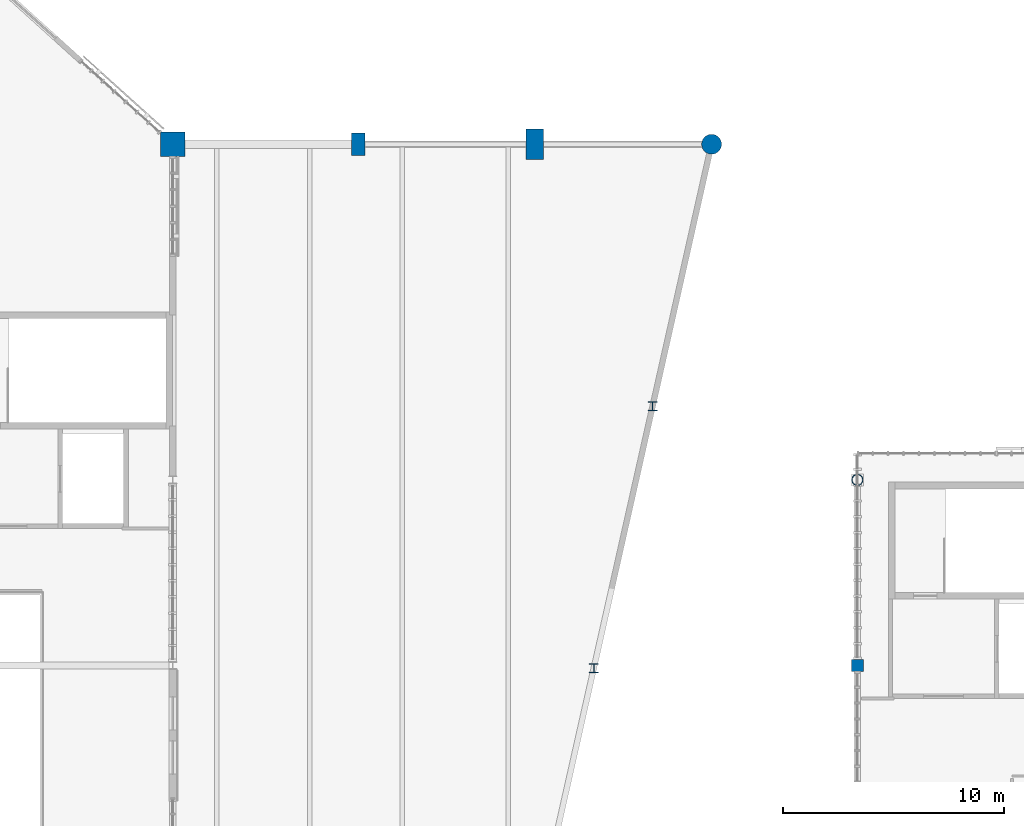
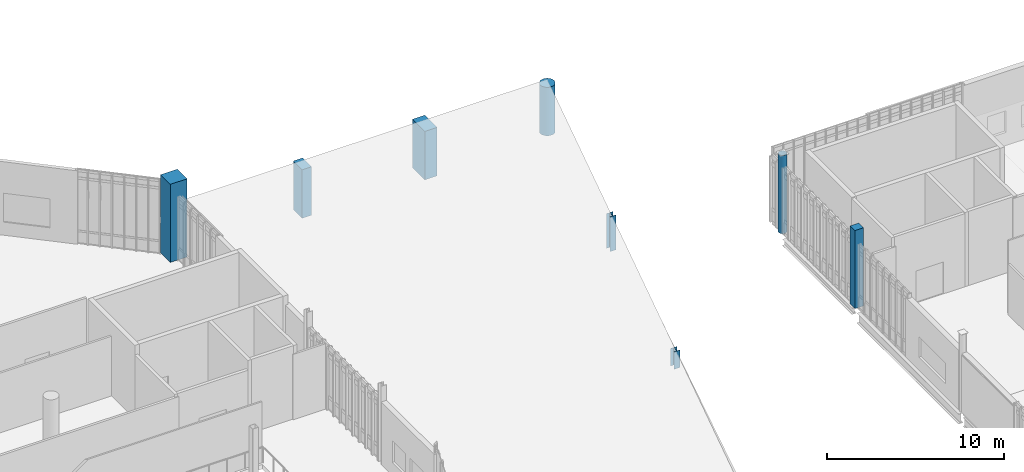
# One storey, part 6 of 135: 8 columns.
"""IFC4 building model written with IfcOpenShell, lengths in metres."""

from ifc_helpers import new_model, si_unit, direction, frame, origin, origin_2d, place, context, subcontext, project, spatial, rectangle, circle, hollow_circle, i_section, extrude, material, material_profile, profile_set, type_object, element, save


model = new_model("IFC4")

# Units and contexts
model_context = context("Model", 3, precision=1e-05, world=origin(), true_north=direction((0.0, 1.0)))
body_context = subcontext(model_context, "Body", "Model", "MODEL_VIEW")
ifc_project = project(units=[si_unit("LENGTHUNIT", "METRE"), si_unit("AREAUNIT", "SQUARE_METRE"), si_unit("VOLUMEUNIT", "CUBIC_METRE"), si_unit("PLANEANGLEUNIT", "RADIAN"), si_unit("MASSUNIT", "GRAM", prefix="KILO")], contexts=[model_context])

# Site, building, storey
site_placement = place(None, origin())
site = spatial("IfcSite", under=ifc_project, at=site_placement, CompositionType="ELEMENT")
building_placement = place(site_placement, origin())
building = spatial("IfcBuilding", under=site, at=building_placement, Name="Larkvane Passage Sports Hall", CompositionType="ELEMENT")
storey_placement = place(building_placement, frame((0.0, 0.0, 16.800048828125)))
storey = spatial("IfcBuildingStorey", under=building, at=storey_placement, Name="L03", CompositionType="ELEMENT", Elevation=16.800048828125)

# Columns
ifc_material_1 = material(Name="Concrete C50/60", Category="concrete")
ifc_material_profile_1 = material_profile(ifc_material_1, circle(Radius=0.449951171875, at=origin_2d()), Name="RC-CIR-900")
ifc_profile_set_1 = profile_set([ifc_material_profile_1], Name="Concrete C50/60")
column_type_1 = type_object("IfcColumnType", Name="COL-CIR-900", PredefinedType="COLUMN", material=ifc_profile_set_1)
column_1_placement = place(storey_placement, frame((118.0, 99.199951171875, 0.0), z_axis=(0.0, 0.0, 1.0), x_axis=(1.0, 0.0, 0.0)))
element("IfcColumn", 1, at=column_1_placement, inside=storey, type_object=column_type_1, Name="Climbing hall north ridge column NE", PredefinedType="COLUMN", context=body_context, shape_type="SweptSolid", body=[
    extrude(circle(Radius=0.449951171875, at=origin_2d()), origin(), (0.0, 0.0, 1.0), 3.349853515625),
])
ifc_material_profile_2 = material_profile(ifc_material_1, rectangle(XDim=1.10009765625, YDim=1.10009765625, at=origin_2d()), Name="RC-COL-1100x1100")
ifc_profile_set_2 = profile_set([ifc_material_profile_2], Name="Concrete C50/60")
column_type_2 = type_object("IfcColumnType", Name="COL-RC-1100", PredefinedType="COLUMN", material=ifc_profile_set_2)
column_2_placement = place(storey_placement, frame((93.60009765625, 99.199951171875, 0.0), z_axis=(0.0, 0.0, 1.0), x_axis=(1.0, 0.0, 0.0)))
element("IfcColumn", 2, at=column_2_placement, inside=storey, type_object=column_type_2, Name="Column 13/M L03", PredefinedType="COLUMN", context=body_context, shape_type="SweptSolid", body=[
    extrude(rectangle(XDim=1.10009765625, YDim=1.10009765625, at=origin_2d()), origin(), (0.0, 0.0, 1.0), 5.39990234375),
])
ifc_material_2 = material(Name="Concrete C40/50", Category="concrete")
ifc_material_profile_3 = material_profile(ifc_material_2, rectangle(XDim=0.550048828125, YDim=0.550048828125, at=origin_2d()), Name="RC-COL-550x550")
ifc_profile_set_3 = profile_set([ifc_material_profile_3], Name="Concrete C40/50")
column_type_3 = type_object("IfcColumnType", Name="COL-RC-550", PredefinedType="COLUMN", material=ifc_profile_set_3)
column_3_placement = place(storey_placement, frame((124.60009765625, 75.60009765625, 0.0), z_axis=(0.0, 0.0, 1.0), x_axis=(1.0, 0.0, 0.0)))
element("IfcColumn", 3, at=column_3_placement, inside=storey, type_object=column_type_3, Name="Column 17/J L03", PredefinedType="COLUMN", context=body_context, shape_type="SweptSolid", body=[
    extrude(rectangle(XDim=0.550048828125, YDim=0.550048828125, at=origin_2d()), origin(), (0.0, 0.0, 1.0), 5.39990234375),
])
ifc_material_profile_4 = material_profile(ifc_material_2, rectangle(XDim=0.60009765625, YDim=1.0, at=origin_2d()), Name="RC-COL-600x1000")
ifc_profile_set_4 = profile_set([ifc_material_profile_4], Name="Concrete C40/50")
column_type_4 = type_object("IfcColumnType", Name="COL-RC-600x1000", PredefinedType="COLUMN", material=ifc_profile_set_4)
column_4_placement = place(storey_placement, frame((102.0, 99.199951171875, 0.0), z_axis=(0.0, 0.0, 1.0), x_axis=(1.0, 0.0, 0.0)))
element("IfcColumn", 4, at=column_4_placement, inside=storey, type_object=column_type_4, Name="Climbing hall north ridge column N1", PredefinedType="COLUMN", context=body_context, shape_type="SweptSolid", body=[
    extrude(rectangle(XDim=0.60009765625, YDim=1.0, at=origin_2d()), origin(), (0.0, 0.0, 1.0), 3.349853515625),
])
ifc_material_profile_5 = material_profile(ifc_material_1, rectangle(XDim=0.800048828125, YDim=1.39990234375, at=origin_2d()), Name="RC-COL-800x1400")
ifc_profile_set_5 = profile_set([ifc_material_profile_5], Name="Concrete C50/60")
column_type_5 = type_object("IfcColumnType", Name="COL-RC-800x1400", PredefinedType="COLUMN", material=ifc_profile_set_5)
column_5_placement = place(storey_placement, frame((110.0, 99.199951171875, 0.0), z_axis=(0.0, 0.0, 1.0), x_axis=(1.0, 0.0, 0.0)))
element("IfcColumn", 5, at=column_5_placement, inside=storey, type_object=column_type_5, Name="Climbing hall north ridge column N2", PredefinedType="COLUMN", context=body_context, shape_type="SweptSolid", body=[
    extrude(rectangle(XDim=0.800048828125, YDim=1.39990234375, at=origin_2d()), origin(), (0.0, 0.0, 1.0), 3.349853515625),
])
ifc_material_3 = material(Name="Steel S460N", Category="steel")
ifc_material_profile_6 = material_profile(ifc_material_3, hollow_circle(Radius=0.25390625, WallThickness=0.01904296875, at=origin_2d()), Name="CHS-508.0x19.0")
ifc_profile_set_6 = profile_set([ifc_material_profile_6], Name="Steel S460N")
column_type_6 = type_object("IfcColumnType", Name="COL-STL-CHS508", PredefinedType="COLUMN", material=ifc_profile_set_6)
column_6_placement = place(storey_placement, frame((124.60009765625, 84.0, 0.0), z_axis=(0.0, 0.0, 1.0), x_axis=(1.0, 0.0, 0.0)))
element("IfcColumn", 6, at=column_6_placement, inside=storey, type_object=column_type_6, Name="Column 17/K L03", PredefinedType="COLUMN", context=body_context, shape_type="SweptSolid", body=[
    extrude(hollow_circle(Radius=0.25390625, WallThickness=0.01904296875, at=origin_2d()), origin(), (0.0, 0.0, 1.0), 5.39990234375),
])
ifc_material_4 = material(Name="Steel S355JR", Category="steel")
ifc_material_profile_7 = material_profile(ifc_material_4, i_section(OverallWidth=0.39990234375, OverallDepth=0.39990234375, WebThickness=0.012939453125, FlangeThickness=0.02099609375, FilletRadius=0.02197265625, at=origin_2d()), Name="H-400x400x13x21")
ifc_profile_set_7 = profile_set([ifc_material_profile_7], Name="Steel S355JR")
column_type_7 = type_object("IfcColumnType", Name="COL-STL-H400", PredefinedType="COLUMN", material=ifc_profile_set_7)
column_7_placement = place(storey_placement, frame((112.669921875, 75.469970703125, 0.0), z_axis=(0.0, 0.0, 1.0), x_axis=(1.0, 0.0, 0.0)))
element("IfcColumn", 7, at=column_7_placement, inside=storey, type_object=column_type_7, Name="Climbing hall east facade column V3E-1 L03", PredefinedType="COLUMN", context=body_context, shape_type="SweptSolid", body=[
    extrude(i_section(OverallWidth=0.39990234375, OverallDepth=0.39990234375, WebThickness=0.012939453125, FlangeThickness=0.02099609375, FilletRadius=0.02197265625, at=origin_2d()), origin(), (0.0, 0.0, 1.0), 1.199951171875),
])
column_8_placement = place(storey_placement, frame((115.330078125, 87.330078125, 0.0), z_axis=(0.0, 0.0, 1.0), x_axis=(1.0, 0.0, 0.0)))
element("IfcColumn", 8, at=column_8_placement, inside=storey, type_object=column_type_7, Name="Climbing hall east facade column V3E-2 L03", PredefinedType="COLUMN", context=body_context, shape_type="SweptSolid", body=[
    extrude(i_section(OverallWidth=0.39990234375, OverallDepth=0.39990234375, WebThickness=0.012939453125, FlangeThickness=0.02099609375, FilletRadius=0.02197265625, at=origin_2d()), origin(), (0.0, 0.0, 1.0), 2.39990234375),
])

save(model, "model.ifc")
